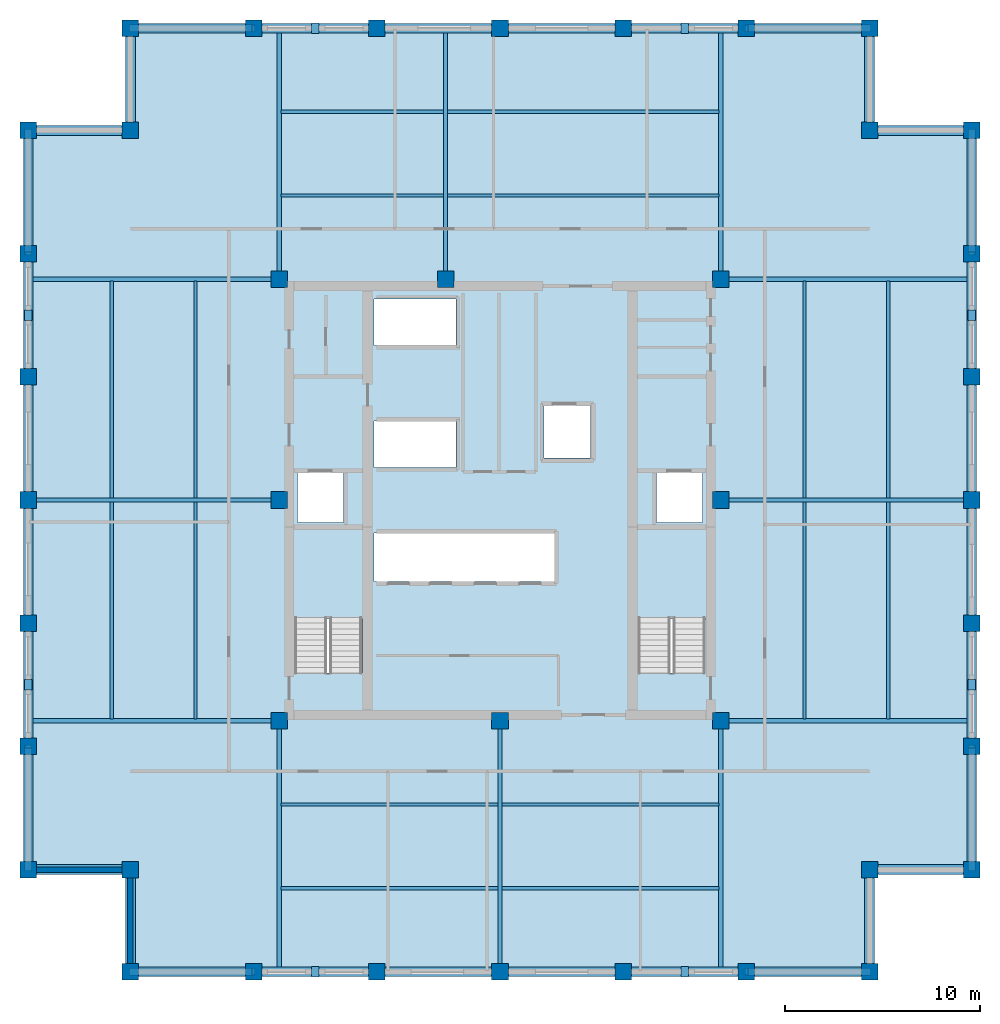
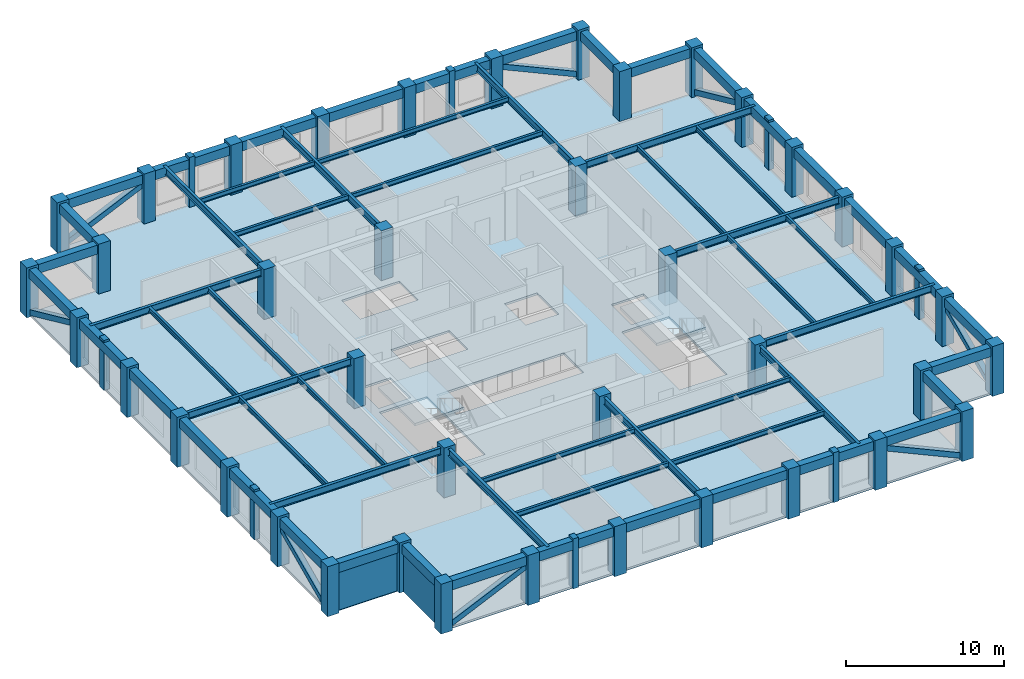
# One storey, part 1 of 6: 60 beams, 40 columns, 16 members, 3 slabs, 2 walls, 2 elements without a shape of their own.
"""IFC4 building model written with IfcOpenShell, lengths in metres."""

from ifc_helpers import new_model, si_unit, direction, frame, frame_2d, origin, origin_2d, place, context, subcontext, project, spatial, polyline, rectangle, hollow_rectangle, i_section, outline, extrude, material, layer, layer_set, material_profile, profile_set, type_object, element, aggregate, save


model = new_model("IFC4")

# Units and contexts
model_context = context("Model", 3, precision=1e-05, world=origin(), true_north=direction((0.0, 1.0)))
body_context = subcontext(model_context, "Body", "Model", "MODEL_VIEW")
ifc_project = project(units=[si_unit("LENGTHUNIT", "METRE"), si_unit("AREAUNIT", "SQUARE_METRE"), si_unit("VOLUMEUNIT", "CUBIC_METRE"), si_unit("PLANEANGLEUNIT", "RADIAN"), si_unit("MASSUNIT", "GRAM", prefix="KILO")], contexts=[model_context])

# Site, building, storey
site_placement = place(None, origin())
site = spatial("IfcSite", under=ifc_project, at=site_placement, CompositionType="ELEMENT")
building_placement = place(site_placement, origin())
building = spatial("IfcBuilding", under=site, at=building_placement, Name="Nhamokura Convention Tower", CompositionType="ELEMENT")
storey_placement = place(building_placement, frame((0.0, 0.0, 202.300048828125)))
storey = spatial("IfcBuildingStorey", under=building, at=storey_placement, Name="L49", CompositionType="ELEMENT", Elevation=202.300048828125)

# Columns
ifc_material_1 = material(Name="Concrete C50/60", Category="concrete")
ifc_material_profile_1 = material_profile(ifc_material_1, rectangle(XDim=0.85009765625, YDim=0.85009765625, at=origin_2d()))
ifc_profile_set_1 = profile_set([ifc_material_profile_1], Name="Concrete C50/60")
column_type = type_object("IfcColumnType", Name="TubeColumn_Z3_850", PredefinedType="COLUMN", material=ifc_profile_set_1)
for number, where, z_axis, x_axis, name in (
    (1, (20.64990234375, 20.64990234375, 0.0), (0.0, 0.0, 1.0), (1.0, 0.0, 0.0), "L49 Core Column CC-SW"),
    (2, (32.0, 20.64990234375, 0.0), (0.0, 0.0, 1.0), (1.0, 0.0, 0.0), "L49 Core Column CC-S"),
    (3, (43.35009765625, 20.64990234375, 0.0), (0.0, 0.0, 1.0), (1.0, 0.0, 0.0), "L49 Core Column CC-SE"),
    (4, (43.35009765625, 32.0, 0.0), (0.0, 0.0, 1.0), (1.0, 0.0, 0.0), "L49 Core Column CC-E"),
    (5, (43.35009765625, 43.35009765625, 0.0), (0.0, 0.0, 1.0), (1.0, 0.0, 0.0), "L49 Core Column CC-NE"),
    (6, (29.199951171875, 43.35009765625, 0.0), (0.0, 0.0, 1.0), (1.0, 0.0, 0.0), "L49 Core Column CC-N"),
    (7, (20.64990234375, 43.35009765625, 0.0), (0.0, 0.0, 1.0), (1.0, 0.0, 0.0), "L49 Core Column CC-NW"),
    (8, (20.64990234375, 32.0, 0.0), (0.0, 0.0, 1.0), (1.0, 0.0, 0.0), "L49 Core Column CC-W"),
    (9, (13.0, 7.75, 0.0), (0.0, 0.0, 1.0), (1.0, 0.0, 0.0), "L49 Perimeter Tube Column SW1"),
    (10, (13.0, 13.0, 0.0), (0.0, 0.0, 1.0), (1.0, 0.0, 0.0), "L49 Perimeter Tube Column SW0"),
    (11, (7.75, 13.0, 0.0), (0.0, 0.0, 1.0), (1.0, 0.0, 0.0), "L49 Perimeter Tube Column SW2"),
    (12, (51.0, 7.75, 0.0), (0.0, 0.0, 1.0), (1.0, 0.0, 0.0), "L49 Perimeter Tube Column SE1"),
    (13, (51.0, 13.0, 0.0), (0.0, 0.0, 1.0), (1.0, 0.0, 0.0), "L49 Perimeter Tube Column SE0"),
    (14, (56.25, 13.0, 0.0), (0.0, 0.0, 1.0), (1.0, 0.0, 0.0), "L49 Perimeter Tube Column SE2"),
    (15, (56.25, 51.0, 0.0), (0.0, 0.0, 1.0), (1.0, 0.0, 0.0), "L49 Perimeter Tube Column NE1"),
    (16, (51.0, 51.0, 0.0), (0.0, 0.0, 1.0), (1.0, 0.0, 0.0), "L49 Perimeter Tube Column NE0"),
    (17, (51.0, 56.25, 0.0), (0.0, 0.0, 1.0), (1.0, 0.0, 0.0), "L49 Perimeter Tube Column NE2"),
    (18, (13.0, 56.25, 0.0), (0.0, 0.0, 1.0), (1.0, 0.0, 0.0), "L49 Perimeter Tube Column NW1"),
    (19, (13.0, 51.0, 0.0), (0.0, 0.0, 1.0), (1.0, 0.0, 0.0), "L49 Perimeter Tube Column NW0"),
    (20, (7.75, 51.0, 0.0), (0.0, 0.0, 1.0), (1.0, 0.0, 0.0), "L49 Perimeter Tube Column NW2"),
    (21, (19.333251953125, 7.75, 0.0), (0.0, 0.0, 1.0), (1.0, 0.0, 0.0), "L49 Perimeter Tube Column S1"),
    (22, (19.333251953125, 56.25, 0.0), (0.0, 0.0, 1.0), (1.0, 0.0, 0.0), "L49 Perimeter Tube Column N1"),
    (23, (7.75, 19.333251953125, 0.0), (0.0, 0.0, 1.0), (1.0, 0.0, 0.0), "L49 Perimeter Tube Column W1"),
    (24, (56.25, 19.333251953125, 0.0), (0.0, 0.0, 1.0), (1.0, 0.0, 0.0), "L49 Perimeter Tube Column E1"),
    (25, (25.666748046875, 7.75, 0.0), (0.0, 0.0, 1.0), (1.0, 0.0, 0.0), "L49 Perimeter Tube Column S2"),
    (26, (25.666748046875, 56.25, 0.0), (0.0, 0.0, 1.0), (1.0, 0.0, 0.0), "L49 Perimeter Tube Column N2"),
    (27, (7.75, 25.666748046875, 0.0), (0.0, 0.0, 1.0), (1.0, 0.0, 0.0), "L49 Perimeter Tube Column W2"),
    (28, (56.25, 25.666748046875, 0.0), (0.0, 0.0, 1.0), (1.0, 0.0, 0.0), "L49 Perimeter Tube Column E2"),
    (29, (32.0, 7.75, 0.0), (0.0, 0.0, 1.0), (1.0, 0.0, 0.0), "L49 Perimeter Tube Column S3"),
    (30, (32.0, 56.25, 0.0), (0.0, 0.0, 1.0), (1.0, 0.0, 0.0), "L49 Perimeter Tube Column N3"),
    (31, (7.75, 32.0, 0.0), (0.0, 0.0, 1.0), (1.0, 0.0, 0.0), "L49 Perimeter Tube Column W3"),
    (32, (56.25, 32.0, 0.0), (0.0, 0.0, 1.0), (1.0, 0.0, 0.0), "L49 Perimeter Tube Column E3"),
    (33, (38.333251953125, 7.75, 0.0), (0.0, 0.0, 1.0), (1.0, 0.0, 0.0), "L49 Perimeter Tube Column S4"),
    (34, (38.333251953125, 56.25, 0.0), (0.0, 0.0, 1.0), (1.0, 0.0, 0.0), "L49 Perimeter Tube Column N4"),
    (35, (7.75, 38.333251953125, 0.0), (0.0, 0.0, 1.0), (1.0, 0.0, 0.0), "L49 Perimeter Tube Column W4"),
    (36, (56.25, 38.333251953125, 0.0), (0.0, 0.0, 1.0), (1.0, 0.0, 0.0), "L49 Perimeter Tube Column E4"),
    (37, (44.666748046875, 7.75, 0.0), (0.0, 0.0, 1.0), (1.0, 0.0, 0.0), "L49 Perimeter Tube Column S5"),
    (38, (44.666748046875, 56.25, 0.0), (0.0, 0.0, 1.0), (1.0, 0.0, 0.0), "L49 Perimeter Tube Column N5"),
    (39, (7.75, 44.666748046875, 0.0), (0.0, 0.0, 1.0), (1.0, 0.0, 0.0), "L49 Perimeter Tube Column W5"),
    (40, (56.25, 44.666748046875, 0.0), (0.0, 0.0, 1.0), (1.0, 0.0, 0.0), "L49 Perimeter Tube Column E5"),
):
    element("IfcColumn", number, at=place(storey_placement, frame(where, z_axis=z_axis, x_axis=x_axis)), inside=storey, type_object=column_type, Name=name, PredefinedType="COLUMN", context=body_context, shape_type="SweptSolid", body=[
        extrude(rectangle(XDim=0.85009765625, YDim=0.85009765625, at=origin_2d()), origin(), (0.0, 0.0, 1.0), 3.849853515625),
    ])

# Members
ifc_material_2 = material(Name="Bronze-pigmented precast concrete C45/55", Category="concrete")
ifc_material_profile_2 = material_profile(ifc_material_2, rectangle(XDim=0.39990234375, YDim=0.550048828125, at=origin_2d()))
ifc_profile_set_2 = profile_set([ifc_material_profile_2], Name="Bronze-pigmented precast concrete C45/55")
member_type_1 = type_object("IfcMemberType", Name="BronzePilaster_550", PredefinedType="USERDEFINED", material=ifc_profile_set_2)
for number, where, z_axis, x_axis, name in (
    (41, (22.5, 7.75, 0.0), (0.0, 0.0, 1.0), (1.0, 0.0, 0.0), "L49 Engaged Frame Pilaster SOUTH 1"),
    (42, (41.5, 7.75, 0.0), (0.0, 0.0, 1.0), (1.0, 0.0, 0.0), "L49 Engaged Frame Pilaster SOUTH 4"),
    (43, (22.5, 56.25, 0.0), (0.0, 0.0, 1.0), (1.0, 0.0, 0.0), "L49 Engaged Frame Pilaster NORTH 1"),
    (44, (41.5, 56.25, 0.0), (0.0, 0.0, 1.0), (1.0, 0.0, 0.0), "L49 Engaged Frame Pilaster NORTH 4"),
    (45, (7.75, 22.5, 0.0), (0.0, 0.0, 1.0), (1.0, 0.0, 0.0), "L49 Engaged Frame Pilaster WEST 1"),
    (46, (7.75, 41.5, 0.0), (0.0, 0.0, 1.0), (1.0, 0.0, 0.0), "L49 Engaged Frame Pilaster WEST 4"),
    (47, (56.25, 22.5, 0.0), (0.0, 0.0, 1.0), (1.0, 0.0, 0.0), "L49 Engaged Frame Pilaster EAST 1"),
    (48, (56.25, 41.5, 0.0), (0.0, 0.0, 1.0), (1.0, 0.0, 0.0), "L49 Engaged Frame Pilaster EAST 4"),
):
    element("IfcMember", number, at=place(storey_placement, frame(where, z_axis=z_axis, x_axis=x_axis)), inside=storey, type_object=member_type_1, Name=name, ObjectType="PILASTER_TRIM", PredefinedType="USERDEFINED", context=body_context, shape_type="SweptSolid", body=[
        extrude(rectangle(XDim=0.39990234375, YDim=0.550048828125, at=origin_2d()), origin(), (0.0, 0.0, 1.0), 3.849853515625),
    ])

# Beams
ifc_material_3 = material(Name="Steel ASTM A992 Gr 50", Category="steel")
ifc_material_profile_3 = material_profile(ifc_material_3, i_section(OverallWidth=0.172119140625, OverallDepth=0.35791015625, WebThickness=0.0078125, FlangeThickness=0.01318359375, at=origin_2d()))
ifc_profile_set_3 = profile_set([ifc_material_profile_3], Name="Steel ASTM A992 Gr 50")
beam_type_1 = type_object("IfcBeamType", Name="FloorJoist_W360X57", PredefinedType="JOIST", material=ifc_profile_set_3)
for number, where, z_axis, x_axis, name in (
    (49, (20.75341796875, 12.050048828125, 3.505859375), (1.0, 0.0, 0.0), (0.0, 1.0, 0.0), "L49 Composite Floor Joist S1A"),
    (50, (32.103515625, 12.050048828125, 3.505859375), (1.0, 0.0, 0.0), (0.0, 1.0, 0.0), "L49 Composite Floor Joist S1B"),
    (51, (20.75341796875, 16.35009765625, 3.505859375), (1.0, 0.0, 0.0), (0.0, 1.0, 0.0), "L49 Composite Floor Joist S2A"),
    (52, (32.103515625, 16.35009765625, 3.505859375), (1.0, 0.0, 0.0), (0.0, 1.0, 0.0), "L49 Composite Floor Joist S2B"),
):
    element("IfcBeam", number, at=place(storey_placement, frame(where, z_axis=z_axis, x_axis=x_axis)), inside=storey, type_object=beam_type_1, Name=name, PredefinedType="JOIST", context=body_context, shape_type="SweptSolid", body=[
        extrude(i_section(OverallWidth=0.172119140625, OverallDepth=0.35791015625, WebThickness=0.0078125, FlangeThickness=0.01318359375, at=origin_2d()), origin(), (0.0, 0.0, 1.0), 11.14306640625),
    ])
beam_1_placement = place(storey_placement, frame((20.75341796875, 47.64990234375, 3.505859375), z_axis=(1.0, 0.0, 0.0), x_axis=(0.0, 1.0, 0.0)))
element("IfcBeam", 53, at=beam_1_placement, inside=storey, type_object=beam_type_1, Name="L49 Composite Floor Joist N1A", PredefinedType="JOIST", context=body_context, shape_type="SweptSolid", body=[
    extrude(i_section(OverallWidth=0.172119140625, OverallDepth=0.35791015625, WebThickness=0.0078125, FlangeThickness=0.01318359375, at=origin_2d()), origin(), (0.0, 0.0, 1.0), 8.343017578125),
])
beam_2_placement = place(storey_placement, frame((29.303466796875, 47.64990234375, 3.505859375), z_axis=(1.0, 0.0, 0.0), x_axis=(0.0, 1.0, 0.0)))
element("IfcBeam", 54, at=beam_2_placement, inside=storey, type_object=beam_type_1, Name="L49 Composite Floor Joist N1B", PredefinedType="JOIST", context=body_context, shape_type="SweptSolid", body=[
    extrude(i_section(OverallWidth=0.172119140625, OverallDepth=0.35791015625, WebThickness=0.0078125, FlangeThickness=0.01318359375, at=origin_2d()), origin(), (0.0, 0.0, 1.0), 13.943115234375),
])
beam_3_placement = place(storey_placement, frame((20.75341796875, 51.949951171875, 3.505859375), z_axis=(1.0, 0.0, 0.0), x_axis=(0.0, 1.0, 0.0)))
element("IfcBeam", 55, at=beam_3_placement, inside=storey, type_object=beam_type_1, Name="L49 Composite Floor Joist N2A", PredefinedType="JOIST", context=body_context, shape_type="SweptSolid", body=[
    extrude(i_section(OverallWidth=0.172119140625, OverallDepth=0.35791015625, WebThickness=0.0078125, FlangeThickness=0.01318359375, at=origin_2d()), origin(), (0.0, 0.0, 1.0), 8.343017578125),
])
beam_4_placement = place(storey_placement, frame((29.303466796875, 51.949951171875, 3.505859375), z_axis=(1.0, 0.0, 0.0), x_axis=(0.0, 1.0, 0.0)))
element("IfcBeam", 56, at=beam_4_placement, inside=storey, type_object=beam_type_1, Name="L49 Composite Floor Joist N2B", PredefinedType="JOIST", context=body_context, shape_type="SweptSolid", body=[
    extrude(i_section(OverallWidth=0.172119140625, OverallDepth=0.35791015625, WebThickness=0.0078125, FlangeThickness=0.01318359375, at=origin_2d()), origin(), (0.0, 0.0, 1.0), 13.943115234375),
])
for number, where, z_axis, x_axis, name in (
    (57, (12.050048828125, 20.75341796875, 3.505859375), (0.0, 1.0, 0.0), (-1.0, 0.0, 0.0), "L49 Composite Floor Joist W1A"),
    (58, (12.050048828125, 32.103515625, 3.505859375), (0.0, 1.0, 0.0), (-1.0, 0.0, 0.0), "L49 Composite Floor Joist W1B"),
    (59, (16.35009765625, 20.75341796875, 3.505859375), (0.0, 1.0, 0.0), (-1.0, 0.0, 0.0), "L49 Composite Floor Joist W2A"),
    (60, (16.35009765625, 32.103515625, 3.505859375), (0.0, 1.0, 0.0), (-1.0, 0.0, 0.0), "L49 Composite Floor Joist W2B"),
    (61, (47.64990234375, 20.75341796875, 3.505859375), (0.0, 1.0, 0.0), (-1.0, 0.0, 0.0), "L49 Composite Floor Joist E1A"),
    (62, (47.64990234375, 32.103515625, 3.505859375), (0.0, 1.0, 0.0), (-1.0, 0.0, 0.0), "L49 Composite Floor Joist E1B"),
    (63, (51.949951171875, 20.75341796875, 3.505859375), (0.0, 1.0, 0.0), (-1.0, 0.0, 0.0), "L49 Composite Floor Joist E2A"),
    (64, (51.949951171875, 32.103515625, 3.505859375), (0.0, 1.0, 0.0), (-1.0, 0.0, 0.0), "L49 Composite Floor Joist E2B"),
):
    element("IfcBeam", number, at=place(storey_placement, frame(where, z_axis=z_axis, x_axis=x_axis)), inside=storey, type_object=beam_type_1, Name=name, PredefinedType="JOIST", context=body_context, shape_type="SweptSolid", body=[
        extrude(i_section(OverallWidth=0.172119140625, OverallDepth=0.35791015625, WebThickness=0.0078125, FlangeThickness=0.01318359375, at=origin_2d()), origin(), (0.0, 0.0, 1.0), 11.14306640625),
    ])
ifc_material_4 = material(Name="Steel ASTM A992 Gr 50", Category="steel")
ifc_material_profile_4 = material_profile(ifc_material_4, i_section(OverallWidth=0.2109375, OverallDepth=0.5390625, WebThickness=0.01171875, FlangeThickness=0.018798828125, at=origin_2d()))
ifc_profile_set_4 = profile_set([ifc_material_profile_4], Name="Steel ASTM A992 Gr 50")
beam_type_2 = type_object("IfcBeamType", Name="PrimaryGirder_W530X109", PredefinedType="BEAM", material=ifc_profile_set_4)
for number, where, z_axis, x_axis, name in (
    (65, (20.64990234375, 7.75, 3.41552734375), (0.0, 1.0, 0.0), (-1.0, 0.0, 0.0), "L49 Primary Floor Girder PG-S1"),
    (66, (32.0, 7.75, 3.41552734375), (0.0, 1.0, 0.0), (-1.0, 0.0, 0.0), "L49 Primary Floor Girder PG-S2"),
    (67, (43.35009765625, 7.75, 3.41552734375), (0.0, 1.0, 0.0), (-1.0, 0.0, 0.0), "L49 Primary Floor Girder PG-S3"),
    (68, (20.64990234375, 43.35009765625, 3.41552734375), (0.0, 1.0, 0.0), (-1.0, 0.0, 0.0), "L49 Primary Floor Girder PG-N1"),
    (69, (29.199951171875, 43.35009765625, 3.41552734375), (0.0, 1.0, 0.0), (-1.0, 0.0, 0.0), "L49 Primary Floor Girder PG-N2"),
    (70, (43.35009765625, 43.35009765625, 3.41552734375), (0.0, 1.0, 0.0), (-1.0, 0.0, 0.0), "L49 Primary Floor Girder PG-N3"),
    (71, (7.75, 20.64990234375, 3.41552734375), (1.0, 0.0, 0.0), (0.0, 1.0, 0.0), "L49 Primary Floor Girder PG-W1"),
    (72, (7.75, 32.0, 3.41552734375), (1.0, 0.0, 0.0), (0.0, 1.0, 0.0), "L49 Primary Floor Girder PG-W2"),
    (73, (7.75, 43.35009765625, 3.41552734375), (1.0, 0.0, 0.0), (0.0, 1.0, 0.0), "L49 Primary Floor Girder PG-W3"),
    (74, (43.35009765625, 20.64990234375, 3.41552734375), (1.0, 0.0, 0.0), (0.0, 1.0, 0.0), "L49 Primary Floor Girder PG-E1"),
    (75, (43.35009765625, 32.0, 3.41552734375), (1.0, 0.0, 0.0), (0.0, 1.0, 0.0), "L49 Primary Floor Girder PG-E2"),
    (76, (43.35009765625, 43.35009765625, 3.41552734375), (1.0, 0.0, 0.0), (0.0, 1.0, 0.0), "L49 Primary Floor Girder PG-E3"),
):
    element("IfcBeam", number, at=place(storey_placement, frame(where, z_axis=z_axis, x_axis=x_axis)), inside=storey, type_object=beam_type_2, Name=name, PredefinedType="BEAM", context=body_context, shape_type="SweptSolid", body=[
        extrude(i_section(OverallWidth=0.2109375, OverallDepth=0.5390625, WebThickness=0.01171875, FlangeThickness=0.018798828125, at=origin_2d()), origin(), (0.0, 0.0, 1.0), 12.89990234375),
    ])

# Members
ifc_material_5 = material(Name="Steel ASTM A572 Gr 50", Category="steel")
ifc_material_profile_5 = material_profile(ifc_material_5, hollow_rectangle(XDim=0.39990234375, YDim=0.39990234375, WallThickness=0.02001953125, at=origin_2d()))
ifc_profile_set_5 = profile_set([ifc_material_profile_5], Name="Steel ASTM A572 Gr 50")
member_type_2 = type_object("IfcMemberType", Name="TubeBrace_HSS400", PredefinedType="BRACE", material=ifc_profile_set_5)
for number, where, z_axis, x_axis, name in (
    (77, (13.0, 7.75, 0.14990234375), (0.910027379678, 0.0, 0.41454814948), (0.0, 1.0, 0.0), "L49 Perimeter Tube Brace SOUTH Bay 0"),
    (78, (51.0, 7.75, 0.14990234375), (-0.910027379678, 0.0, 0.41454814948), (0.0, -1.0, 0.0), "L49 Perimeter Tube Brace SOUTH Bay 5"),
    (79, (13.0, 56.25, 0.14990234375), (0.910027379678, 0.0, 0.41454814948), (0.0, 1.0, 0.0), "L49 Perimeter Tube Brace NORTH Bay 0"),
    (80, (51.0, 56.25, 0.14990234375), (-0.910027379678, 0.0, 0.41454814948), (0.0, -1.0, 0.0), "L49 Perimeter Tube Brace NORTH Bay 5"),
    (81, (7.75, 13.0, 0.14990234375), (0.0, 0.910027379678, 0.41454814948), (-1.0, 0.0, 0.0), "L49 Perimeter Tube Brace WEST Bay 0"),
    (82, (7.75, 51.0, 0.14990234375), (0.0, -0.910027379678, 0.41454814948), (1.0, 0.0, 0.0), "L49 Perimeter Tube Brace WEST Bay 5"),
    (83, (56.25, 13.0, 0.14990234375), (0.0, 0.910027379678, 0.41454814948), (-1.0, 0.0, 0.0), "L49 Perimeter Tube Brace EAST Bay 0"),
    (84, (56.25, 51.0, 0.14990234375), (0.0, -0.910027379678, 0.41454814948), (1.0, 0.0, 0.0), "L49 Perimeter Tube Brace EAST Bay 5"),
):
    element("IfcMember", number, at=place(storey_placement, frame(where, z_axis=z_axis, x_axis=x_axis)), inside=storey, type_object=member_type_2, Name=name, PredefinedType="BRACE", context=body_context, shape_type="SweptSolid", body=[
        extrude(hollow_rectangle(XDim=0.39990234375, YDim=0.39990234375, WallThickness=0.02001953125, at=origin_2d()), origin(), (0.0, 0.0, 1.0), 6.95947265625),
    ])

# Beams
ifc_material_6 = material(Name="Concrete C50/60", Category="concrete")
ifc_material_profile_6 = material_profile(ifc_material_6, rectangle(XDim=0.5, YDim=0.699951171875, at=origin_2d()))
ifc_profile_set_6 = profile_set([ifc_material_profile_6], Name="Concrete C50/60")
beam_type_3 = type_object("IfcBeamType", Name="TubeSpandrel_700", PredefinedType="SPANDREL", material=ifc_profile_set_6)
beam_5_placement = place(storey_placement, frame((13.0, 7.75, 3.3349609375), z_axis=(1.0, 0.0, 0.0), x_axis=(0.0, 1.0, 0.0)))
element("IfcBeam", 85, at=beam_5_placement, inside=storey, type_object=beam_type_3, Name="L49 Perimeter Spandrel SOUTH 1", PredefinedType="SPANDREL", context=body_context, shape_type="SweptSolid", body=[
    extrude(rectangle(XDim=0.5, YDim=0.699951171875, at=origin_2d()), origin(), (0.0, 0.0, 1.0), 6.333251953125),
])
beam_6_placement = place(storey_placement, frame((19.333251953125, 7.75, 3.3349609375), z_axis=(1.0, 0.0, 0.0), x_axis=(0.0, 1.0, 0.0)))
element("IfcBeam", 86, at=beam_6_placement, inside=storey, type_object=beam_type_3, Name="L49 Perimeter Spandrel SOUTH 2", PredefinedType="SPANDREL", context=body_context, shape_type="SweptSolid", body=[
    extrude(rectangle(XDim=0.5, YDim=0.699951171875, at=origin_2d()), origin(), (0.0, 0.0, 1.0), 6.33349609375),
])
for number, where, z_axis, x_axis, name in (
    (87, (25.666748046875, 7.75, 3.3349609375), (1.0, 0.0, 0.0), (0.0, 1.0, 0.0), "L49 Perimeter Spandrel SOUTH 3"),
    (88, (32.0, 7.75, 3.3349609375), (1.0, 0.0, 0.0), (0.0, 1.0, 0.0), "L49 Perimeter Spandrel SOUTH 4"),
):
    element("IfcBeam", number, at=place(storey_placement, frame(where, z_axis=z_axis, x_axis=x_axis)), inside=storey, type_object=beam_type_3, Name=name, PredefinedType="SPANDREL", context=body_context, shape_type="SweptSolid", body=[
        extrude(rectangle(XDim=0.5, YDim=0.699951171875, at=origin_2d()), origin(), (0.0, 0.0, 1.0), 6.333251953125),
    ])
beam_7_placement = place(storey_placement, frame((38.333251953125, 7.75, 3.3349609375), z_axis=(1.0, 0.0, 0.0), x_axis=(0.0, 1.0, 0.0)))
element("IfcBeam", 89, at=beam_7_placement, inside=storey, type_object=beam_type_3, Name="L49 Perimeter Spandrel SOUTH 5", PredefinedType="SPANDREL", context=body_context, shape_type="SweptSolid", body=[
    extrude(rectangle(XDim=0.5, YDim=0.699951171875, at=origin_2d()), origin(), (0.0, 0.0, 1.0), 6.33349609375),
])
for number, where, z_axis, x_axis, name in (
    (90, (44.666748046875, 7.75, 3.3349609375), (1.0, 0.0, 0.0), (0.0, 1.0, 0.0), "L49 Perimeter Spandrel SOUTH 6"),
    (91, (13.0, 56.25, 3.3349609375), (1.0, 0.0, 0.0), (0.0, 1.0, 0.0), "L49 Perimeter Spandrel NORTH 1"),
):
    element("IfcBeam", number, at=place(storey_placement, frame(where, z_axis=z_axis, x_axis=x_axis)), inside=storey, type_object=beam_type_3, Name=name, PredefinedType="SPANDREL", context=body_context, shape_type="SweptSolid", body=[
        extrude(rectangle(XDim=0.5, YDim=0.699951171875, at=origin_2d()), origin(), (0.0, 0.0, 1.0), 6.333251953125),
    ])
beam_8_placement = place(storey_placement, frame((19.333251953125, 56.25, 3.3349609375), z_axis=(1.0, 0.0, 0.0), x_axis=(0.0, 1.0, 0.0)))
element("IfcBeam", 92, at=beam_8_placement, inside=storey, type_object=beam_type_3, Name="L49 Perimeter Spandrel NORTH 2", PredefinedType="SPANDREL", context=body_context, shape_type="SweptSolid", body=[
    extrude(rectangle(XDim=0.5, YDim=0.699951171875, at=origin_2d()), origin(), (0.0, 0.0, 1.0), 6.33349609375),
])
for number, where, z_axis, x_axis, name in (
    (93, (25.666748046875, 56.25, 3.3349609375), (1.0, 0.0, 0.0), (0.0, 1.0, 0.0), "L49 Perimeter Spandrel NORTH 3"),
    (94, (32.0, 56.25, 3.3349609375), (1.0, 0.0, 0.0), (0.0, 1.0, 0.0), "L49 Perimeter Spandrel NORTH 4"),
):
    element("IfcBeam", number, at=place(storey_placement, frame(where, z_axis=z_axis, x_axis=x_axis)), inside=storey, type_object=beam_type_3, Name=name, PredefinedType="SPANDREL", context=body_context, shape_type="SweptSolid", body=[
        extrude(rectangle(XDim=0.5, YDim=0.699951171875, at=origin_2d()), origin(), (0.0, 0.0, 1.0), 6.333251953125),
    ])
beam_9_placement = place(storey_placement, frame((38.333251953125, 56.25, 3.3349609375), z_axis=(1.0, 0.0, 0.0), x_axis=(0.0, 1.0, 0.0)))
element("IfcBeam", 95, at=beam_9_placement, inside=storey, type_object=beam_type_3, Name="L49 Perimeter Spandrel NORTH 5", PredefinedType="SPANDREL", context=body_context, shape_type="SweptSolid", body=[
    extrude(rectangle(XDim=0.5, YDim=0.699951171875, at=origin_2d()), origin(), (0.0, 0.0, 1.0), 6.33349609375),
])
for number, where, z_axis, x_axis, name in (
    (96, (44.666748046875, 56.25, 3.3349609375), (1.0, 0.0, 0.0), (0.0, 1.0, 0.0), "L49 Perimeter Spandrel NORTH 6"),
    (97, (7.75, 13.0, 3.3349609375), (0.0, 1.0, 0.0), (-1.0, 0.0, 0.0), "L49 Perimeter Spandrel WEST 1"),
):
    element("IfcBeam", number, at=place(storey_placement, frame(where, z_axis=z_axis, x_axis=x_axis)), inside=storey, type_object=beam_type_3, Name=name, PredefinedType="SPANDREL", context=body_context, shape_type="SweptSolid", body=[
        extrude(rectangle(XDim=0.5, YDim=0.699951171875, at=origin_2d()), origin(), (0.0, 0.0, 1.0), 6.333251953125),
    ])
beam_10_placement = place(storey_placement, frame((7.75, 19.333251953125, 3.3349609375), z_axis=(0.0, 1.0, 0.0), x_axis=(-1.0, 0.0, 0.0)))
element("IfcBeam", 98, at=beam_10_placement, inside=storey, type_object=beam_type_3, Name="L49 Perimeter Spandrel WEST 2", PredefinedType="SPANDREL", context=body_context, shape_type="SweptSolid", body=[
    extrude(rectangle(XDim=0.5, YDim=0.699951171875, at=origin_2d()), origin(), (0.0, 0.0, 1.0), 6.33349609375),
])
for number, where, z_axis, x_axis, name in (
    (99, (7.75, 25.666748046875, 3.3349609375), (0.0, 1.0, 0.0), (-1.0, 0.0, 0.0), "L49 Perimeter Spandrel WEST 3"),
    (100, (7.75, 32.0, 3.3349609375), (0.0, 1.0, 0.0), (-1.0, 0.0, 0.0), "L49 Perimeter Spandrel WEST 4"),
):
    element("IfcBeam", number, at=place(storey_placement, frame(where, z_axis=z_axis, x_axis=x_axis)), inside=storey, type_object=beam_type_3, Name=name, PredefinedType="SPANDREL", context=body_context, shape_type="SweptSolid", body=[
        extrude(rectangle(XDim=0.5, YDim=0.699951171875, at=origin_2d()), origin(), (0.0, 0.0, 1.0), 6.333251953125),
    ])
beam_11_placement = place(storey_placement, frame((7.75, 38.333251953125, 3.3349609375), z_axis=(0.0, 1.0, 0.0), x_axis=(-1.0, 0.0, 0.0)))
element("IfcBeam", 101, at=beam_11_placement, inside=storey, type_object=beam_type_3, Name="L49 Perimeter Spandrel WEST 5", PredefinedType="SPANDREL", context=body_context, shape_type="SweptSolid", body=[
    extrude(rectangle(XDim=0.5, YDim=0.699951171875, at=origin_2d()), origin(), (0.0, 0.0, 1.0), 6.33349609375),
])
for number, where, z_axis, x_axis, name in (
    (102, (7.75, 44.666748046875, 3.3349609375), (0.0, 1.0, 0.0), (-1.0, 0.0, 0.0), "L49 Perimeter Spandrel WEST 6"),
    (103, (56.25, 13.0, 3.3349609375), (0.0, 1.0, 0.0), (-1.0, 0.0, 0.0), "L49 Perimeter Spandrel EAST 1"),
):
    element("IfcBeam", number, at=place(storey_placement, frame(where, z_axis=z_axis, x_axis=x_axis)), inside=storey, type_object=beam_type_3, Name=name, PredefinedType="SPANDREL", context=body_context, shape_type="SweptSolid", body=[
        extrude(rectangle(XDim=0.5, YDim=0.699951171875, at=origin_2d()), origin(), (0.0, 0.0, 1.0), 6.333251953125),
    ])
beam_12_placement = place(storey_placement, frame((56.25, 19.333251953125, 3.3349609375), z_axis=(0.0, 1.0, 0.0), x_axis=(-1.0, 0.0, 0.0)))
element("IfcBeam", 104, at=beam_12_placement, inside=storey, type_object=beam_type_3, Name="L49 Perimeter Spandrel EAST 2", PredefinedType="SPANDREL", context=body_context, shape_type="SweptSolid", body=[
    extrude(rectangle(XDim=0.5, YDim=0.699951171875, at=origin_2d()), origin(), (0.0, 0.0, 1.0), 6.33349609375),
])
for number, where, z_axis, x_axis, name in (
    (105, (56.25, 25.666748046875, 3.3349609375), (0.0, 1.0, 0.0), (-1.0, 0.0, 0.0), "L49 Perimeter Spandrel EAST 3"),
    (106, (56.25, 32.0, 3.3349609375), (0.0, 1.0, 0.0), (-1.0, 0.0, 0.0), "L49 Perimeter Spandrel EAST 4"),
):
    element("IfcBeam", number, at=place(storey_placement, frame(where, z_axis=z_axis, x_axis=x_axis)), inside=storey, type_object=beam_type_3, Name=name, PredefinedType="SPANDREL", context=body_context, shape_type="SweptSolid", body=[
        extrude(rectangle(XDim=0.5, YDim=0.699951171875, at=origin_2d()), origin(), (0.0, 0.0, 1.0), 6.333251953125),
    ])
beam_13_placement = place(storey_placement, frame((56.25, 38.333251953125, 3.3349609375), z_axis=(0.0, 1.0, 0.0), x_axis=(-1.0, 0.0, 0.0)))
element("IfcBeam", 107, at=beam_13_placement, inside=storey, type_object=beam_type_3, Name="L49 Perimeter Spandrel EAST 5", PredefinedType="SPANDREL", context=body_context, shape_type="SweptSolid", body=[
    extrude(rectangle(XDim=0.5, YDim=0.699951171875, at=origin_2d()), origin(), (0.0, 0.0, 1.0), 6.33349609375),
])
beam_14_placement = place(storey_placement, frame((56.25, 44.666748046875, 3.3349609375), z_axis=(0.0, 1.0, 0.0), x_axis=(-1.0, 0.0, 0.0)))
element("IfcBeam", 108, at=beam_14_placement, inside=storey, type_object=beam_type_3, Name="L49 Perimeter Spandrel EAST 6", PredefinedType="SPANDREL", context=body_context, shape_type="SweptSolid", body=[
    extrude(rectangle(XDim=0.5, YDim=0.699951171875, at=origin_2d()), origin(), (0.0, 0.0, 1.0), 6.333251953125),
])
for number, where, z_axis, x_axis, name in (
    (109, (13.0, 7.75, 3.3349609375), (0.0, 1.0, 0.0), (-1.0, 0.0, 0.0), "L49 Notch Spandrel SW1"),
    (110, (13.0, 13.0, 3.3349609375), (-1.0, 0.0, 0.0), (0.0, -1.0, 0.0), "L49 Notch Spandrel SW2"),
    (111, (51.0, 7.75, 3.3349609375), (0.0, 1.0, 0.0), (-1.0, 0.0, 0.0), "L49 Notch Spandrel SE1"),
    (112, (51.0, 13.0, 3.3349609375), (1.0, 0.0, 0.0), (0.0, 1.0, 0.0), "L49 Notch Spandrel SE2"),
    (113, (56.25, 51.0, 3.3349609375), (-1.0, 0.0, 0.0), (0.0, -1.0, 0.0), "L49 Notch Spandrel NE1"),
    (114, (51.0, 51.0, 3.3349609375), (0.0, 1.0, 0.0), (-1.0, 0.0, 0.0), "L49 Notch Spandrel NE2"),
    (115, (13.0, 56.25, 3.3349609375), (0.0, -1.0, 0.0), (1.0, 0.0, 0.0), "L49 Notch Spandrel NW1"),
    (116, (13.0, 51.0, 3.3349609375), (-1.0, 0.0, 0.0), (0.0, -1.0, 0.0), "L49 Notch Spandrel NW2"),
):
    element("IfcBeam", number, at=place(storey_placement, frame(where, z_axis=z_axis, x_axis=x_axis)), inside=storey, type_object=beam_type_3, Name=name, PredefinedType="SPANDREL", context=body_context, shape_type="SweptSolid", body=[
        extrude(rectangle(XDim=0.5, YDim=0.699951171875, at=origin_2d()), origin(), (0.0, 0.0, 1.0), 5.25),
    ])

# Slab
ifc_material_7 = material(Name="Concrete C40/50", Category="concrete")
ifc_layer_1 = layer(ifc_material_7, 0.1650390625)
ifc_layer_set_1 = layer_set([ifc_layer_1], Name="OfficeFloorSlab_165")
slab_type_1 = type_object("IfcSlabType", Name="OfficeFloorSlab_165", PredefinedType="FLOOR", material=ifc_layer_set_1)
slab_1_placement = place(storey_placement, frame((0.0, 0.0, -0.1650390625)))
element("IfcSlab", 117, at=slab_1_placement, inside=storey, type_object=slab_type_1, Name="L49 Structural Floor Slab", PredefinedType="FLOOR", context=body_context, shape_type="SweptSolid", body=[
    extrude(outline(polyline([(13.0, 7.75), (51.0, 7.75), (51.0, 13.0), (56.25, 13.0), (56.25, 51.0), (51.0, 51.0), (51.0, 56.25), (13.0, 56.25), (13.0, 51.0), (7.75, 51.0), (7.75, 13.0), (13.0, 13.0), (13.0, 7.75)]), holes=[polyline([(24.89990234375, 23.10009765625), (24.89990234375, 30.449951171875), (21.449951171875, 30.449951171875), (21.449951171875, 23.10009765625), (24.89990234375, 23.10009765625)]), polyline([(42.550048828125, 23.10009765625), (42.550048828125, 30.449951171875), (39.10009765625, 30.449951171875), (39.10009765625, 23.10009765625), (42.550048828125, 23.10009765625)]), polyline([(21.60009765625, 30.85009765625), (23.949951171875, 30.85009765625), (23.949951171875, 33.39990234375), (21.60009765625, 33.39990234375), (21.60009765625, 30.85009765625)]), polyline([(40.050048828125, 30.85009765625), (42.39990234375, 30.85009765625), (42.39990234375, 33.39990234375), (40.050048828125, 33.39990234375), (40.050048828125, 30.85009765625)]), polyline([(34.25, 34.14990234375), (36.64990234375, 34.14990234375), (36.64990234375, 36.85009765625), (34.25, 36.85009765625), (34.25, 34.14990234375)]), polyline([(25.52001953125, 27.800048828125), (34.800048828125, 27.800048828125), (34.800048828125, 30.300048828125), (25.52001953125, 30.300048828125), (25.52001953125, 27.800048828125)]), polyline([(25.52001953125, 33.679931640625), (29.75, 33.679931640625), (29.75, 36.050048828125), (25.52001953125, 36.050048828125), (25.52001953125, 33.679931640625)]), polyline([(25.52001953125, 39.949951171875), (29.75, 39.949951171875), (29.75, 42.320068359375), (25.52001953125, 42.320068359375), (25.52001953125, 39.949951171875)])]), origin(), (0.0, 0.0, 1.0), 0.1650390625),
])

# Stair, slab
ifc_material_8 = material(Name="Concrete C40/50", Category="concrete")
stair_type = type_object("IfcStairType", Name="TowerCoreStair_1650", PredefinedType="HALF_TURN_STAIR", material=ifc_material_8)
stair_1_placement = place(storey_placement, origin())
stair_1 = element("IfcStair", 118, at=stair_1_placement, inside=storey, type_object=stair_type, Name="L49 West Core Smokeproof Stair ST-01", PredefinedType="HALF_TURN_STAIR")
ifc_material_9 = material(Name="Concrete C40/50", Category="concrete")
ifc_layer_2 = layer(ifc_material_9, 0.199951171875)
ifc_layer_set_2 = layer_set([ifc_layer_2], Name="StairLandingSlab_200")
slab_type_2 = type_object("IfcSlabType", Name="StairLandingSlab_200", PredefinedType="LANDING", material=ifc_layer_set_2)
slab_2_placement = place(storey_placement, frame((0.0, 0.0, 1.724853515625)))
slab_2 = element("IfcSlab", 119, at=slab_2_placement, type_object=slab_type_2, Name="ST-01 landing 1", PredefinedType="LANDING", context=body_context, shape_type="SweptSolid", body=[
    extrude(outline(polyline([(24.97998046875, 25.8701171875), (24.97998046875, 30.530029296875), (21.3701171875, 30.530029296875), (21.3701171875, 25.8701171875), (24.97998046875, 25.8701171875)])), origin(), (0.0, 0.0, 1.0), 0.2001953125),
])
aggregate(stair_1, [slab_2])

stair_2_placement = place(storey_placement, origin())
stair_2 = element("IfcStair", 120, at=stair_2_placement, inside=storey, type_object=stair_type, Name="L49 East Core Smokeproof Stair ST-02", PredefinedType="HALF_TURN_STAIR")
slab_3_placement = place(storey_placement, frame((0.0, 0.0, 1.724853515625)))
slab_3 = element("IfcSlab", 121, at=slab_3_placement, type_object=slab_type_2, Name="ST-02 landing 1", PredefinedType="LANDING", context=body_context, shape_type="SweptSolid", body=[
    extrude(outline(polyline([(42.6298828125, 25.8701171875), (42.6298828125, 30.530029296875), (39.02001953125, 30.530029296875), (39.02001953125, 25.8701171875), (42.6298828125, 25.8701171875)])), origin(), (0.0, 0.0, 1.0), 0.2001953125),
])
aggregate(stair_2, [slab_3])

# Walls
ifc_material_10 = material(Name="Bronze-pigmented precast concrete C45/55", Category="concrete")
ifc_layer_3 = layer(ifc_material_10, 0.280029296875)
ifc_layer_set_3 = layer_set([ifc_layer_3], Name="BronzePrecastSpandrel_280")
wall_type = type_object("IfcWallType", Name="BronzePrecastSpandrel_280", PredefinedType="USERDEFINED", material=ifc_layer_set_3)
for number, where, z_axis, x_axis, name in (
    (122, (13.0, 7.75, 0.0), (0.0, 0.0, 1.0), (0.0, 1.0, 0.0), "L49 Notched Corner Wall SW1"),
    (123, (13.0, 13.0, 0.0), (0.0, 0.0, 1.0), (-1.0, 0.0, 0.0), "L49 Notched Corner Wall SW2"),
):
    element("IfcWall", number, at=place(storey_placement, frame(where, z_axis=z_axis, x_axis=x_axis)), inside=storey, type_object=wall_type, Name=name, ObjectType="SPANDREL_WALL", PredefinedType="USERDEFINED", context=body_context, shape_type="SweptSolid", body=[
        extrude(rectangle(XDim=5.25, YDim=0.280029296875, at=frame_2d((2.625, 0.0))), origin(), (0.0, 0.0, 1.0), 2.98486328125),
    ])

save(model, "model.ifc")
